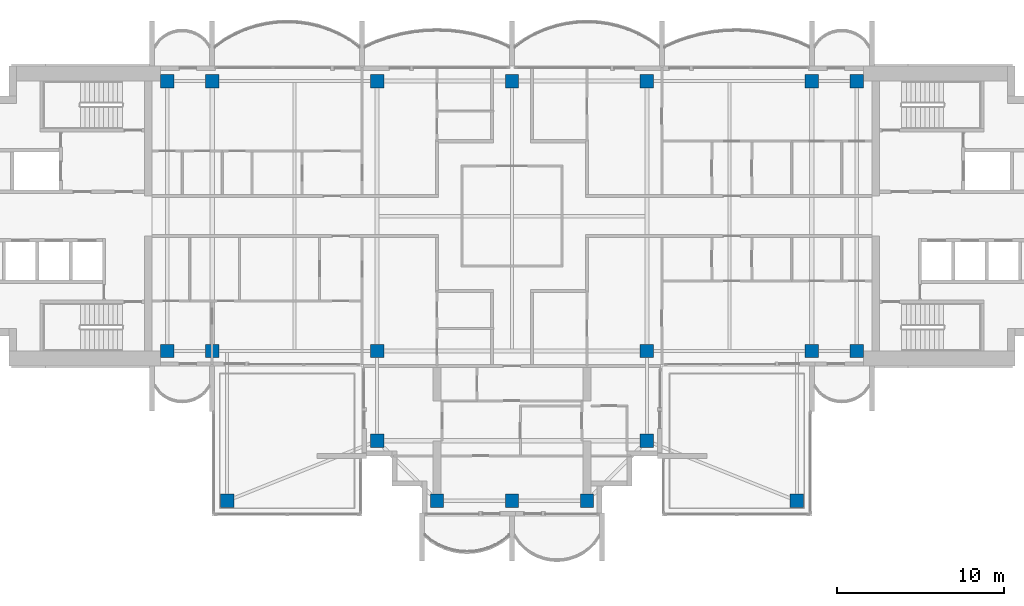
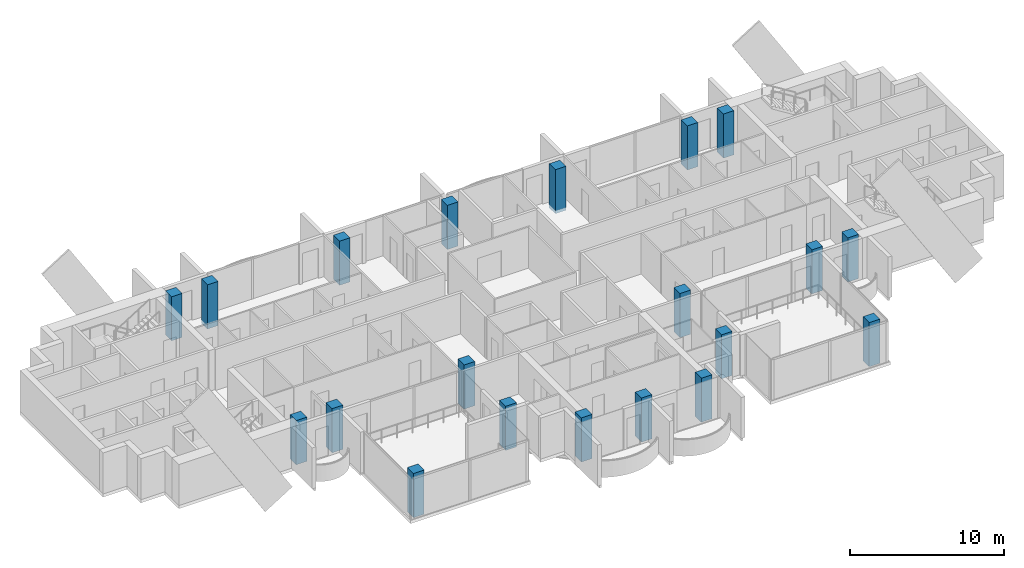
# One storey, part 1 of 16: 20 columns.
"""IFC4 building model written with IfcOpenShell, lengths in metres."""

import ifcopenshell
import ifcopenshell.guid

model = None  # the IFC model being written
_history = None  # IfcOwnerHistory: only IFC2X3 demands one
_inside = {}  # id of a spatial element -> (the spatial element, [elements in it])
_under = {}  # id of a project, library or spatial element -> (it, [spatial elements below it])
_declared = {}  # id of a project -> (the project, [libraries it declares])
_typed = {}  # id of a type object -> (the type object, [elements of that type])
_made_of = {}  # id of a material, layer set ... -> (it, [elements and type objects made of it])


def new_model(schema):
    """Start an empty IFC model of exactly this schema.

    Asked for "IFC4X3", IfcOpenShell would pick the latest addendum, in which some entities
    have other attributes; the version numbers below select the first issue.
    IFC2X3 requires an IfcOwnerHistory on every rooted entity: one is made here for all.
    """
    global model, _history
    if schema == "IFC4X3":
        model = ifcopenshell.file(schema_version=(4, 3, 0, 0))
    else:
        model = ifcopenshell.file(schema=schema)
    _inside.clear()
    _under.clear()
    _declared.clear()
    _typed.clear()
    _made_of.clear()
    _history = None
    if model.schema == "IFC2X3":
        org = make("IfcOrganization", Name="unknown")
        user = make(
            "IfcPersonAndOrganization",
            ThePerson=make("IfcPerson", FamilyName="unknown"),
            TheOrganization=org,
        )
        app = make(
            "IfcApplication",
            ApplicationDeveloper=org,
            Version="unknown",
            ApplicationFullName="unknown",
            ApplicationIdentifier="unknown",
        )
        _history = make(
            "IfcOwnerHistory",
            OwningUser=user,
            OwningApplication=app,
            ChangeAction="ADDED",
            CreationDate=0,
        )
    return model


def make(cls, **values):
    """One entity of the class cls with the attributes given. An attribute that is None is left unset."""
    return model.create_entity(
        cls, **{name: value for name, value in values.items() if value is not None}
    )


def rooted(cls, **values):
    """An entity with a GlobalId (a new one), such as an element, a storey or a relation."""
    return make(cls, GlobalId=ifcopenshell.guid.new(), OwnerHistory=_history, **values)


def si_unit(unit_type, name, prefix=None):
    """IfcSIUnit, for example si_unit("LENGTHUNIT", "METRE", prefix="MILLI")."""
    return make("IfcSIUnit", UnitType=unit_type, Prefix=prefix, Name=name)


def assignment(units):
    """IfcUnitAssignment: the units of a project."""
    return None if units is None else make("IfcUnitAssignment", Units=units)


def point(xyz):
    """IfcCartesianPoint."""
    return None if xyz is None else make("IfcCartesianPoint", Coordinates=xyz)


def direction(xyz):
    """IfcDirection."""
    return None if xyz is None else make("IfcDirection", DirectionRatios=xyz)


def frame(location, z_axis=None, x_axis=None):
    """IfcAxis2Placement3D, a coordinate frame: its origin and axes. An axis left out is left unset."""
    return make(
        "IfcAxis2Placement3D",
        Location=point(location),
        Axis=direction(z_axis),
        RefDirection=direction(x_axis),
    )


def frame_2d(location, x_axis=None):
    """IfcAxis2Placement2D, a coordinate frame in the plane: its origin and x axis."""
    return make(
        "IfcAxis2Placement2D", Location=point(location), RefDirection=direction(x_axis)
    )


def origin():
    """The frame at (0, 0, 0) with its axes left unset."""
    return frame((0.0, 0.0, 0.0))


def origin_2d():
    """The frame at (0, 0) in the plane with its x axis left unset."""
    return frame_2d((0.0, 0.0))


def place(relative_to, where):
    """IfcLocalPlacement: puts the frame where relative to a parent placement (None: the world)."""
    return make(
        "IfcLocalPlacement", PlacementRelTo=relative_to, RelativePlacement=where
    )


def context(
    kind, dimensions, precision=None, world=None, true_north=None, identifier=None
):
    """IfcGeometricRepresentationContext, for example the 3D "Model" context."""
    return make(
        "IfcGeometricRepresentationContext",
        ContextIdentifier=identifier,
        ContextType=kind,
        CoordinateSpaceDimension=dimensions,
        Precision=precision,
        WorldCoordinateSystem=world,
        TrueNorth=true_north,
    )


def subcontext(parent, identifier, kind, view, scale=None):
    """IfcGeometricRepresentationSubContext, for example "Body" below "Model"."""
    return make(
        "IfcGeometricRepresentationSubContext",
        ContextIdentifier=identifier,
        ContextType=kind,
        ParentContext=parent,
        TargetScale=scale,
        TargetView=view,
    )


def project(units=None, contexts=None):
    """IfcProject with its units and contexts."""
    return rooted(
        "IfcProject",
        Name="project",
        RepresentationContexts=contexts,
        UnitsInContext=assignment(units),
    )


def spatial(cls, under=None, at=None, **own):
    """A site, building, storey or space (cls), placed at a placement, below another one or the project."""
    s = rooted(cls, ObjectPlacement=at, **own)
    if under is not None:
        _under.setdefault(under.id(), (under, []))[1].append(s)
    return s


def profile(cls, at=None, kind="AREA", **sizes):
    """A parametric profile (cls). Its sizes go by their IFC names, for example OverallWidth=200.0."""
    return make(cls, ProfileType=kind, Position=at, **sizes)


def rectangle(**sizes):
    """IfcRectangleProfileDef."""
    return profile("IfcRectangleProfileDef", **sizes)


def extrude(swept, where, along, depth):
    """IfcExtrudedAreaSolid: the profile swept, set in the frame where, extruded along a direction by depth."""
    return make(
        "IfcExtrudedAreaSolid",
        SweptArea=swept,
        Position=where,
        ExtrudedDirection=direction(along),
        Depth=depth,
    )


def shape(context_of_items, identifier, shape_type, items):
    """IfcShapeRepresentation: the items that make up one representation, for example the "Body"."""
    return make(
        "IfcShapeRepresentation",
        ContextOfItems=context_of_items,
        RepresentationIdentifier=identifier,
        RepresentationType=shape_type,
        Items=items,
    )


def material(Name=None, Category=None):
    """IfcMaterial."""
    return make("IfcMaterial", Name=Name, Category=Category)


def material_profile(
    of_material, cross_section, Name=None, Category=None, Priority=None
):
    """IfcMaterialProfile: a cross section and its material."""
    return make(
        "IfcMaterialProfile",
        Name=Name,
        Material=of_material,
        Profile=cross_section,
        Priority=Priority,
        Category=Category,
    )


def profile_set(profiles, Name=None, composite=None):
    """IfcMaterialProfileSet."""
    return make(
        "IfcMaterialProfileSet",
        Name=Name,
        MaterialProfiles=profiles,
        CompositeProfile=composite,
    )


def made_of(thing, what):
    """Note that an element or type object is made of a material, layer set ...; save() writes the relation."""
    if what is not None:
        _made_of.setdefault(what.id(), (what, []))[1].append(thing)
    return thing


def type_object(cls, material=None, **own):
    """A type object (cls), such as IfcWallType, which elements share."""
    return made_of(rooted(cls, **own), material)


def element(
    cls,
    number,
    at=None,
    inside=None,
    cuts=None,
    type_object=None,
    material=None,
    context=None,
    identifier="Body",
    shape_type=None,
    held_by="IfcProductDefinitionShape",
    body=None,
    shapes=None,
    **own,
):
    """One element of the class cls, such as IfcWall. Its Tag is "e" and its number.

    at: its placement. inside: the storey or other place that contains it. cuts: it is an
    opening in that element (IfcRelVoidsElement). A single representation is given by context,
    identifier, shape_type and body (its items); several are given by shapes. held_by: the class
    of the entity that holds the representations. save() writes the other relations.
    """
    e = rooted(cls, Tag="e%d" % number, ObjectPlacement=at, **own)
    if body is not None:
        shapes = [shape(context, identifier, shape_type, body)]
    if shapes is not None:
        e.Representation = make(held_by, Representations=shapes)
    if inside is not None:
        _inside.setdefault(inside.id(), (inside, []))[1].append(e)
    if cuts is not None:
        rooted(
            "IfcRelVoidsElement", RelatingBuildingElement=cuts, RelatedOpeningElement=e
        )
    if type_object is not None:
        _typed.setdefault(type_object.id(), (type_object, []))[1].append(e)
    return made_of(e, material)


def aggregate(whole, parts):
    """IfcRelAggregates: a whole, such as a stair, and the parts it consists of."""
    return rooted("IfcRelAggregates", RelatingObject=whole, RelatedObjects=parts)


def save(model, path):
    """Write the relations noted so far, then the file.

    IfcRelAggregates (storeys below a building ...), IfcRelContainedInSpatialStructure (elements
    in a storey), IfcRelDefinesByType, IfcRelAssociatesMaterial and IfcRelDeclares: one each for
    every whole, place, type object, material and project.
    """
    for whole, parts in _under.values():
        aggregate(whole, parts)
    for where, things in _inside.values():
        rooted(
            "IfcRelContainedInSpatialStructure",
            RelatedElements=things,
            RelatingStructure=where,
        )
    for kind, things in _typed.values():
        rooted("IfcRelDefinesByType", RelatedObjects=things, RelatingType=kind)
    for what, things in _made_of.values():
        rooted("IfcRelAssociatesMaterial", RelatedObjects=things, RelatingMaterial=what)
    for by, libraries in _declared.values():
        rooted("IfcRelDeclares", RelatingContext=by, RelatedDefinitions=libraries)
    model.write(path)


model = new_model("IFC4")

# Units and contexts
model_context = context("Model", 3, precision=1e-05, world=origin(), true_north=direction((0.0, 1.0)))
body_context = subcontext(model_context, "Body", "Model", "MODEL_VIEW")
ifc_project = project(units=[si_unit("LENGTHUNIT", "METRE"), si_unit("AREAUNIT", "SQUARE_METRE"), si_unit("VOLUMEUNIT", "CUBIC_METRE"), si_unit("PLANEANGLEUNIT", "RADIAN"), si_unit("MASSUNIT", "GRAM", prefix="KILO")], contexts=[model_context])

# Site, building, storey
site_placement = place(None, origin())
site = spatial("IfcSite", under=ifc_project, at=site_placement, CompositionType="ELEMENT")
building_placement = place(site_placement, origin())
building = spatial("IfcBuilding", under=site, at=building_placement, Name="Perihelion Cross Residences", CompositionType="ELEMENT")
storey_placement = place(building_placement, frame((0.0, 0.0, 250.0)))
storey = spatial("IfcBuildingStorey", under=building, at=storey_placement, Name="L63", CompositionType="ELEMENT", Elevation=250.0)

# Columns
ifc_material = material(Name="Concrete C50/60", Category="concrete")
ifc_material_profile = material_profile(ifc_material, rectangle(XDim=0.800048828125, YDim=0.800048828125, at=origin_2d()), Name="RC 800x800")
ifc_profile_set = profile_set([ifc_material_profile], Name="Concrete C50/60")
column_type = type_object("IfcColumnType", Name="Reinforced concrete column 800x800 C50/60", PredefinedType="COLUMN", material=ifc_profile_set)
for number, where, z_axis, x_axis, name in (
    (1, (-20.699951171875, -8.10009765625, -0.25), (0.0, 0.0, 1.0), (1.0, 0.0, 0.0), "Column C017 L63 no. 1"),
    (2, (-20.699951171875, 8.10009765625, -0.25), (0.0, 0.0, 1.0), (1.0, 0.0, 0.0), "Column C010 L63 no. 1"),
    (3, (-18.0, -8.10009765625, -0.25), (0.0, 0.0, 1.0), (1.0, 0.0, 0.0), "Column C018 L63 no. 1"),
    (4, (-18.0, 8.10009765625, -0.25), (0.0, 0.0, 1.0), (1.0, 0.0, 0.0), "Column C011 L63 no. 1"),
    (5, (-8.10009765625, -13.5, -0.25), (0.0, 0.0, 1.0), (1.0, 0.0, 0.0), "Column C025 L63 no. 1"),
    (6, (-8.10009765625, -8.10009765625, -0.25), (0.0, 0.0, 1.0), (1.0, 0.0, 0.0), "Column C019 L63 no. 1"),
    (7, (-8.10009765625, 8.10009765625, -0.25), (0.0, 0.0, 1.0), (1.0, 0.0, 0.0), "Column C012 L63 no. 1"),
    (8, (-4.5, -17.10009765625, -0.25), (0.0, 0.0, 1.0), (1.0, 0.0, 0.0), "Column C032 L63 no. 1"),
    (9, (0.0, -17.10009765625, -0.25), (0.0, 0.0, 1.0), (1.0, 0.0, 0.0), "Column C033 L63 no. 1"),
    (10, (0.0, 8.10009765625, -0.25), (0.0, 0.0, 1.0), (1.0, 0.0, 0.0), "Column C013 L63 no. 1"),
    (11, (4.5, -17.10009765625, -0.25), (0.0, 0.0, 1.0), (1.0, 0.0, 0.0), "Column C034 L63 no. 1"),
    (12, (8.10009765625, -13.5, -0.25), (0.0, 0.0, 1.0), (1.0, 0.0, 0.0), "Column C029 L63 no. 1"),
    (13, (8.10009765625, -8.10009765625, -0.25), (0.0, 0.0, 1.0), (1.0, 0.0, 0.0), "Column C020 L63 no. 1"),
    (14, (8.10009765625, 8.10009765625, -0.25), (0.0, 0.0, 1.0), (1.0, 0.0, 0.0), "Column C014 L63 no. 1"),
    (15, (18.0, -8.10009765625, -0.25), (0.0, 0.0, 1.0), (1.0, 0.0, 0.0), "Column C021 L63 no. 1"),
    (16, (18.0, 8.10009765625, -0.25), (0.0, 0.0, 1.0), (1.0, 0.0, 0.0), "Column C015 L63 no. 1"),
    (17, (20.699951171875, -8.10009765625, -0.25), (0.0, 0.0, 1.0), (1.0, 0.0, 0.0), "Column C022 L63 no. 1"),
    (18, (20.699951171875, 8.10009765625, -0.25), (0.0, 0.0, 1.0), (1.0, 0.0, 0.0), "Column C016 L63 no. 1"),
    (19, (-17.10009765625, -17.10009765625, -0.25), (0.0, 0.0, 1.0), (1.0, 0.0, 0.0), "Column C030 L63 no. 1"),
    (20, (17.10009765625, -17.10009765625, -0.25), (0.0, 0.0, 1.0), (1.0, 0.0, 0.0), "Column C036 L63 no. 1"),
):
    element("IfcColumn", number, at=place(storey_placement, frame(where, z_axis=z_axis, x_axis=x_axis)), inside=storey, type_object=column_type, Name=name, PredefinedType="COLUMN", context=body_context, shape_type="SweptSolid", body=[
        extrude(rectangle(XDim=0.800048828125, YDim=0.800048828125, at=origin_2d()), origin(), (0.0, 0.0, 1.0), 3.5),
    ])

save(model, "model.ifc")
